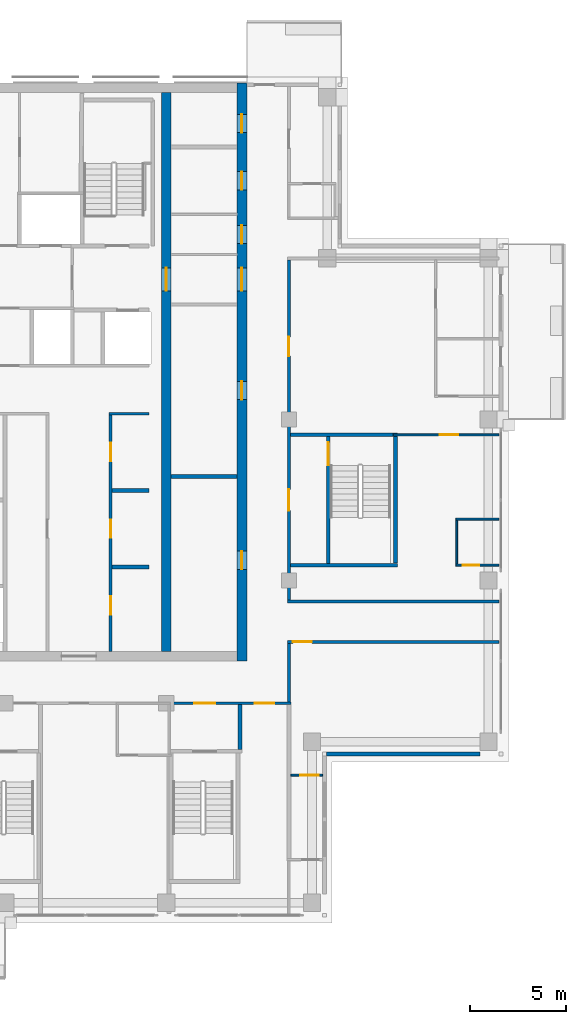
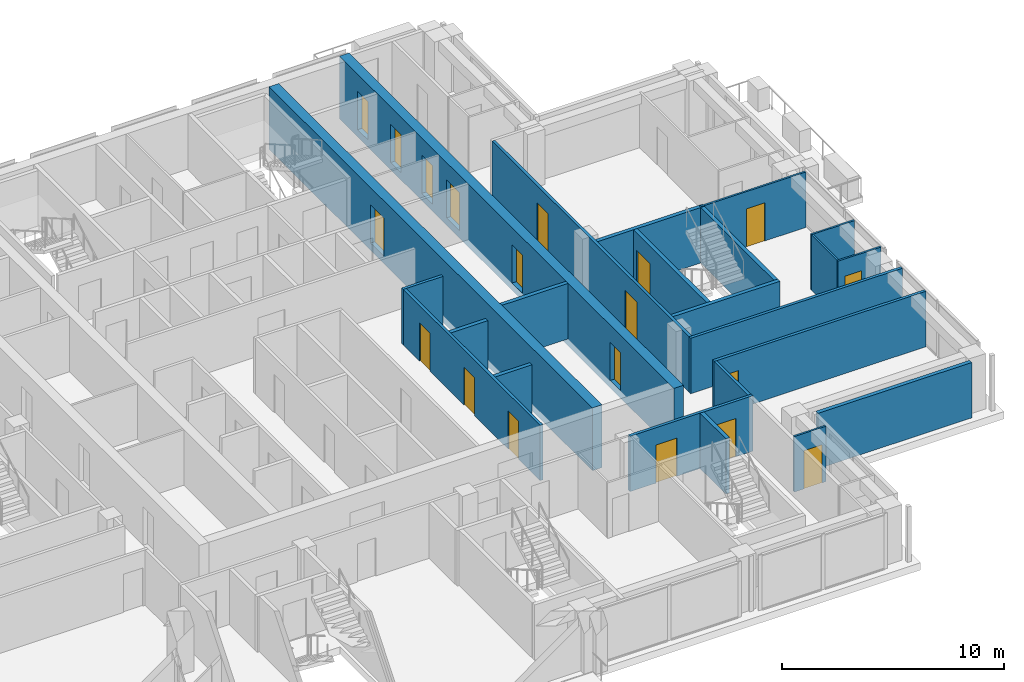
# One storey, part 9 of 15: 23 walls, 19 doors, 19 openings.
"""IFC4 building model written with IfcOpenShell, lengths in metres."""

from ifc_helpers import new_model, si_unit, direction, frame, frame_2d, origin, place, context, subcontext, project, spatial, rectangle, extrude, material, layer, layer_set, type_object, element, fill, save


model = new_model("IFC4")

# Units and contexts
model_context = context("Model", 3, precision=1e-05, world=origin(), true_north=direction((0.0, 1.0)))
body_context = subcontext(model_context, "Body", "Model", "MODEL_VIEW")
ifc_project = project(units=[si_unit("LENGTHUNIT", "METRE"), si_unit("AREAUNIT", "SQUARE_METRE"), si_unit("VOLUMEUNIT", "CUBIC_METRE"), si_unit("PLANEANGLEUNIT", "RADIAN"), si_unit("MASSUNIT", "GRAM", prefix="KILO")], contexts=[model_context])

# Site, building, storey
site_placement = place(None, origin())
site = spatial("IfcSite", under=ifc_project, at=site_placement, CompositionType="ELEMENT")
building_placement = place(site_placement, origin())
building = spatial("IfcBuilding", under=site, at=building_placement, Name="Vermilion Ogive Tower", CompositionType="ELEMENT")
storey_placement = place(building_placement, frame((0.0, 0.0, 237.25)))
storey = spatial("IfcBuildingStorey", under=building, at=storey_placement, Name="L62", CompositionType="ELEMENT", Elevation=237.25)

# Wall, openings, doors
ifc_material_1 = material(Name="Concrete B60", Category="concrete")
ifc_layer_1 = layer(ifc_material_1, 0.5)
ifc_layer_set_1 = layer_set([ifc_layer_1], Name="Core wall 500 B60")
wall_type_1 = type_object("IfcWallType", Name="Core wall 500 B60", PredefinedType="SHEAR", material=ifc_layer_set_1)
wall_1_placement = place(storey_placement, frame((12.35009765625, -8.39990234375, -0.39990234375), z_axis=(0.0, 0.0, 1.0), x_axis=(0.0, 1.0, 0.0)))
wall_1 = element("IfcWall", 1, at=wall_1_placement, inside=storey, type_object=wall_type_1, Name="L62-CORE-E", PredefinedType="SHEAR", context=body_context, shape_type="SweptSolid", body=[
    extrude(rectangle(XDim=30.14990234375, YDim=0.5, at=frame_2d((15.074951171875, 0.0))), origin(), (0.0, 0.0, 1.0), 3.449951171875),
])
opening_1_placement = place(wall_1_placement, frame((4.78759765625, 0.0, 0.39990234375)))
opening_1 = element("IfcOpeningElement", 2, at=opening_1_placement, cuts=wall_1, Name="Opening DAC106", PredefinedType="OPENING", context=body_context, shape_type="SweptSolid", body=[
    extrude(rectangle(XDim=0.949951171875, YDim=2.10009765625, at=frame_2d((0.47509765625, 1.050048828125))), frame((0.0, 0.260009765625, 0.0), z_axis=(0.0, -1.0, 0.0), x_axis=(1.0, 0.0, 0.0)), (0.0, 0.0, 1.0), 0.52001953125),
])
opening_2_placement = place(wall_1_placement, frame((13.6376953125, 0.0, 0.39990234375)))
opening_2 = element("IfcOpeningElement", 3, at=opening_2_placement, cuts=wall_1, Name="Opening DAC107", PredefinedType="OPENING", context=body_context, shape_type="SweptSolid", body=[
    extrude(rectangle(XDim=0.949951171875, YDim=2.10009765625, at=frame_2d((0.47509765625, 1.050048828125))), frame((0.0, 0.260009765625, 0.0), z_axis=(0.0, -1.0, 0.0), x_axis=(1.0, 0.0, 0.0)), (0.0, 0.0, 1.0), 0.52001953125),
])
opening_3_placement = place(wall_1_placement, frame((21.7705078125, 0.0, 0.39990234375)))
opening_3 = element("IfcOpeningElement", 4, at=opening_3_placement, cuts=wall_1, Name="Opening DAC108", PredefinedType="OPENING", context=body_context, shape_type="SweptSolid", body=[
    extrude(rectangle(XDim=0.949951171875, YDim=2.10009765625, at=frame_2d((0.47509765625, 1.050048828125))), frame((0.0, 0.260009765625, 0.0), z_axis=(0.0, -1.0, 0.0), x_axis=(1.0, 0.0, 0.0)), (0.0, 0.0, 1.0), 0.52001953125),
])
opening_4_placement = place(wall_1_placement, frame((24.57568359375, 0.0, 0.39990234375)))
opening_4 = element("IfcOpeningElement", 5, at=opening_4_placement, cuts=wall_1, Name="Opening DAC109", PredefinedType="OPENING", context=body_context, shape_type="SweptSolid", body=[
    extrude(rectangle(XDim=0.949951171875, YDim=2.10009765625, at=frame_2d((0.47509765625, 1.050048828125))), frame((0.0, 0.260009765625, 0.0), z_axis=(0.0, -1.0, 0.0), x_axis=(1.0, 0.0, 0.0)), (0.0, 0.0, 1.0), 0.52001953125),
])
opening_5_placement = place(wall_1_placement, frame((27.555419921875, 0.0, 0.39990234375)))
opening_5 = element("IfcOpeningElement", 6, at=opening_5_placement, cuts=wall_1, Name="Opening DAC110", PredefinedType="OPENING", context=body_context, shape_type="SweptSolid", body=[
    extrude(rectangle(XDim=0.949951171875, YDim=2.10009765625, at=frame_2d((0.47509765625, 1.050048828125))), frame((0.0, 0.260009765625, 0.0), z_axis=(0.0, -1.0, 0.0), x_axis=(1.0, 0.0, 0.0)), (0.0, 0.0, 1.0), 0.52001953125),
])
opening_6_placement = place(wall_1_placement, frame((19.300048828125, 0.0, 0.39990234375)))
opening_6 = element("IfcOpeningElement", 7, at=opening_6_placement, cuts=wall_1, Name="Opening DAL025", PredefinedType="OPENING", context=body_context, shape_type="SweptSolid", body=[
    extrude(rectangle(XDim=1.199951171875, YDim=2.10009765625, at=frame_2d((0.60009765625, 1.050048828125))), frame((0.0, 0.260009765625, 0.0), z_axis=(0.0, -1.0, 0.0), x_axis=(1.0, 0.0, 0.0)), (0.0, 0.0, 1.0), 0.52001953125),
])
ifc_material_2 = material(Name="Timber door leaf", Category="wood")
door_type_1 = type_object("IfcDoorType", Name="Link door 1200 x 2100 FD60S", OperationType="SINGLE_SWING_LEFT", PredefinedType="DOOR", material=ifc_material_2)
door_1_placement = place(opening_6_placement, origin())
door_1 = element("IfcDoor", 8, at=door_1_placement, inside=storey, type_object=door_type_1, Name="L62-CKE-XL", OperationType="SINGLE_SWING_LEFT", OverallHeight=2.10009765625, OverallWidth=1.199951171875, PredefinedType="DOOR", context=body_context, shape_type="SweptSolid", body=[
    extrude(rectangle(XDim=1.199951171875, YDim=2.10009765625, at=frame_2d((0.60009765625, 1.050048828125))), frame((0.0, 0.02490234375, 0.0), z_axis=(0.0, -1.0, 0.0), x_axis=(1.0, 0.0, 0.0)), (0.0, 0.0, 1.0), 0.050048828125),
])
fill(opening_6, door_1)
ifc_material_3 = material(Name="Timber door leaf", Category="wood")
door_type_2 = type_object("IfcDoorType", Name="Service door 950 x 2100 FD60", OperationType="SINGLE_SWING_LEFT", PredefinedType="DOOR", material=ifc_material_3)
door_2_placement = place(opening_1_placement, origin())
door_2 = element("IfcDoor", 9, at=door_2_placement, inside=storey, type_object=door_type_2, Name="L62-CKE-XR0", OperationType="SINGLE_SWING_LEFT", OverallHeight=2.10009765625, OverallWidth=0.949951171875, PredefinedType="DOOR", context=body_context, shape_type="SweptSolid", body=[
    extrude(rectangle(XDim=0.949951171875, YDim=2.10009765625, at=frame_2d((0.47509765625, 1.050048828125))), frame((0.0, 0.02490234375, 0.0), z_axis=(0.0, -1.0, 0.0), x_axis=(1.0, 0.0, 0.0)), (0.0, 0.0, 1.0), 0.050048828125),
])
fill(opening_1, door_2)
door_3_placement = place(opening_2_placement, origin())
door_3 = element("IfcDoor", 10, at=door_3_placement, inside=storey, type_object=door_type_2, Name="L62-CKE-XR1", OperationType="SINGLE_SWING_LEFT", OverallHeight=2.10009765625, OverallWidth=0.949951171875, PredefinedType="DOOR", context=body_context, shape_type="SweptSolid", body=[
    extrude(rectangle(XDim=0.949951171875, YDim=2.10009765625, at=frame_2d((0.47509765625, 1.050048828125))), frame((0.0, 0.02490234375, 0.0), z_axis=(0.0, -1.0, 0.0), x_axis=(1.0, 0.0, 0.0)), (0.0, 0.0, 1.0), 0.050048828125),
])
fill(opening_2, door_3)
door_4_placement = place(opening_3_placement, origin())
door_4 = element("IfcDoor", 11, at=door_4_placement, inside=storey, type_object=door_type_2, Name="L62-CKE-XR2", OperationType="SINGLE_SWING_LEFT", OverallHeight=2.10009765625, OverallWidth=0.949951171875, PredefinedType="DOOR", context=body_context, shape_type="SweptSolid", body=[
    extrude(rectangle(XDim=0.949951171875, YDim=2.10009765625, at=frame_2d((0.47509765625, 1.050048828125))), frame((0.0, 0.02490234375, 0.0), z_axis=(0.0, -1.0, 0.0), x_axis=(1.0, 0.0, 0.0)), (0.0, 0.0, 1.0), 0.050048828125),
])
fill(opening_3, door_4)
door_5_placement = place(opening_4_placement, origin())
door_5 = element("IfcDoor", 12, at=door_5_placement, inside=storey, type_object=door_type_2, Name="L62-CKE-XR3", OperationType="SINGLE_SWING_LEFT", OverallHeight=2.10009765625, OverallWidth=0.949951171875, PredefinedType="DOOR", context=body_context, shape_type="SweptSolid", body=[
    extrude(rectangle(XDim=0.949951171875, YDim=2.10009765625, at=frame_2d((0.47509765625, 1.050048828125))), frame((0.0, 0.02490234375, 0.0), z_axis=(0.0, -1.0, 0.0), x_axis=(1.0, 0.0, 0.0)), (0.0, 0.0, 1.0), 0.050048828125),
])
fill(opening_4, door_5)
door_6_placement = place(opening_5_placement, origin())
door_6 = element("IfcDoor", 13, at=door_6_placement, inside=storey, type_object=door_type_2, Name="L62-CKE-XR4", OperationType="SINGLE_SWING_LEFT", OverallHeight=2.10009765625, OverallWidth=0.949951171875, PredefinedType="DOOR", context=body_context, shape_type="SweptSolid", body=[
    extrude(rectangle(XDim=0.949951171875, YDim=2.10009765625, at=frame_2d((0.47509765625, 1.050048828125))), frame((0.0, 0.02490234375, 0.0), z_axis=(0.0, -1.0, 0.0), x_axis=(1.0, 0.0, 0.0)), (0.0, 0.0, 1.0), 0.050048828125),
])
fill(opening_5, door_6)

# Wall, opening, door
wall_2_placement = place(storey_placement, frame((8.39990234375, -7.89990234375, -0.39990234375), z_axis=(0.0, 0.0, 1.0), x_axis=(0.0, 1.0, 0.0)))
wall_2 = element("IfcWall", 14, at=wall_2_placement, inside=storey, type_object=wall_type_1, Name="L62-CORE-WEB2", PredefinedType="SHEAR", context=body_context, shape_type="SweptSolid", body=[
    extrude(rectangle(XDim=29.14990234375, YDim=0.5, at=frame_2d((14.574951171875, 0.0))), origin(), (0.0, 0.0, 1.0), 3.449951171875),
])
opening_7_placement = place(wall_2_placement, frame((18.800048828125, 0.0, 0.39990234375)))
opening_7 = element("IfcOpeningElement", 15, at=opening_7_placement, cuts=wall_2, Name="Opening DAO020", PredefinedType="OPENING", context=body_context, shape_type="SweptSolid", body=[
    extrude(rectangle(XDim=1.199951171875, YDim=2.10009765625, at=frame_2d((0.60009765625, 1.050048828125))), frame((0.0, 0.260009765625, 0.0), z_axis=(0.0, -1.0, 0.0), x_axis=(1.0, 0.0, 0.0)), (0.0, 0.0, 1.0), 0.52001953125),
])
door_7_placement = place(opening_7_placement, origin())
door_7 = element("IfcDoor", 16, at=door_7_placement, inside=storey, type_object=door_type_1, Name="L62-CKE-XW", OperationType="SINGLE_SWING_LEFT", OverallHeight=2.10009765625, OverallWidth=1.199951171875, PredefinedType="DOOR", context=body_context, shape_type="SweptSolid", body=[
    extrude(rectangle(XDim=1.199951171875, YDim=2.10009765625, at=frame_2d((0.60009765625, 1.050048828125))), frame((0.0, 0.02490234375, 0.0), z_axis=(0.0, -1.0, 0.0), x_axis=(1.0, 0.0, 0.0)), (0.0, 0.0, 1.0), 0.050048828125),
])
fill(opening_7, door_7)

ifc_material_4 = material(Name="Gypsum board partition on steel studs", Category="steel")
ifc_layer_2 = layer(ifc_material_4, 0.10009765625)
ifc_layer_set_2 = layer_set([ifc_layer_2], Name="Partition 100 bath")
wall_type_2 = type_object("IfcWallType", Name="Partition 100 bath", PredefinedType="PARTITIONING", material=ifc_layer_set_2)
wall_3_placement = place(storey_placement, frame((23.501953125, -3.39990234375, 0.0), z_axis=(0.0, 0.0, 1.0), x_axis=(1.0, 0.0, 0.0)))
wall_3 = element("IfcWall", 17, at=wall_3_placement, inside=storey, type_object=wall_type_2, Name="L62-W-W022", PredefinedType="PARTITIONING", context=body_context, shape_type="SweptSolid", body=[
    extrude(rectangle(XDim=2.248046875, YDim=0.10009765625, at=frame_2d((1.1240234375, 0.0))), origin(), (0.0, 0.0, 1.0), 3.050048828125),
])
opening_8_placement = place(wall_3_placement, frame((0.373046875, 0.0, 0.0)))
opening_8 = element("IfcOpeningElement", 18, at=opening_8_placement, cuts=wall_3, Name="Opening D5G2020", PredefinedType="OPENING", context=body_context, shape_type="SweptSolid", body=[
    extrude(rectangle(XDim=0.85009765625, YDim=2.10009765625, at=frame_2d((0.425048828125, 1.050048828125))), frame((0.0, 0.06005859375, 0.0), z_axis=(0.0, -1.0, 0.0), x_axis=(1.0, 0.0, 0.0)), (0.0, 0.0, 1.0), 0.1201171875),
])
ifc_material_5 = material(Name="Timber door leaf", Category="wood")
door_type_3 = type_object("IfcDoorType", Name="Bath door 850 x 2100 FD30", OperationType="SINGLE_SWING_LEFT", PredefinedType="DOOR", material=ifc_material_5)
door_8_placement = place(opening_8_placement, origin())
door_8 = element("IfcDoor", 19, at=door_8_placement, inside=storey, type_object=door_type_3, Name="L62-D-D020", OperationType="SINGLE_SWING_LEFT", OverallHeight=2.10009765625, OverallWidth=0.85009765625, PredefinedType="DOOR", context=body_context, shape_type="SweptSolid", body=[
    extrude(rectangle(XDim=0.85009765625, YDim=2.10009765625, at=frame_2d((0.425048828125, 1.050048828125))), frame((0.0, 0.02490234375, 0.0), z_axis=(0.0, -1.0, 0.0), x_axis=(1.0, 0.0, 0.0)), (0.0, 0.0, 1.0), 0.050048828125),
])
fill(opening_8, door_8)

# Walls
wall_4_placement = place(storey_placement, frame((23.501953125, -1.0, 0.0), z_axis=(0.0, 0.0, 1.0), x_axis=(1.0, 0.0, 0.0)))
element("IfcWall", 20, at=wall_4_placement, inside=storey, type_object=wall_type_2, Name="L62-W-W023", PredefinedType="PARTITIONING", context=body_context, shape_type="SweptSolid", body=[
    extrude(rectangle(XDim=2.248046875, YDim=0.10009765625, at=frame_2d((1.1240234375, 0.0))), origin(), (0.0, 0.0, 1.0), 3.050048828125),
])
wall_5_placement = place(storey_placement, frame((23.550048828125, -3.347900390625, 0.0), z_axis=(0.0, 0.0, 1.0), x_axis=(0.0, 1.0, 0.0)))
element("IfcWall", 21, at=wall_5_placement, inside=storey, type_object=wall_type_2, Name="L62-W-W076", PredefinedType="PARTITIONING", context=body_context, shape_type="SweptSolid", body=[
    extrude(rectangle(XDim=2.2958984375, YDim=0.10009765625, at=frame_2d((1.14794921875, 0.0))), origin(), (0.0, 0.0, 1.0), 3.050048828125),
])

# Wall, opening, door
ifc_material_6 = material(Name="Gypsum board partition on steel studs", Category="steel")
ifc_layer_3 = layer(ifc_material_6, 0.10009765625)
ifc_layer_set_3 = layer_set([ifc_layer_3], Name="Partition 100 inner")
wall_type_3 = type_object("IfcWallType", Name="Partition 100 inner", PredefinedType="PARTITIONING", material=ifc_layer_set_3)
wall_6_placement = place(storey_placement, frame((14.89990234375, -14.349853515625, 0.0), z_axis=(0.0, 0.0, 1.0), x_axis=(1.0, 0.0, 0.0)))
wall_6 = element("IfcWall", 22, at=wall_6_placement, inside=storey, type_object=wall_type_3, Name="L62-W-W007", PredefinedType="PARTITIONING", context=body_context, shape_type="SweptSolid", body=[
    extrude(rectangle(XDim=1.650146484375, YDim=0.10009765625, at=frame_2d((0.8251953125, 0.0))), origin(), (0.0, 0.0, 1.0), 3.050048828125),
])
opening_9_placement = place(wall_6_placement, frame((0.500244140625, 0.0, 0.0)))
opening_9 = element("IfcOpeningElement", 23, at=opening_9_placement, cuts=wall_6, Name="Opening D5G2014", PredefinedType="OPENING", context=body_context, shape_type="SweptSolid", body=[
    extrude(rectangle(XDim=0.949951171875, YDim=2.10009765625, at=frame_2d((0.47509765625, 1.050048828125))), frame((0.0, 0.06005859375, 0.0), z_axis=(0.0, -1.0, 0.0), x_axis=(1.0, 0.0, 0.0)), (0.0, 0.0, 1.0), 0.1201171875),
])
ifc_material_7 = material(Name="Timber door leaf", Category="wood")
door_type_4 = type_object("IfcDoorType", Name="Inner door 950 x 2100 FD30", OperationType="SINGLE_SWING_LEFT", PredefinedType="DOOR", material=ifc_material_7)
door_9_placement = place(opening_9_placement, origin())
door_9 = element("IfcDoor", 24, at=door_9_placement, inside=storey, type_object=door_type_4, Name="L62-D-D014", OperationType="SINGLE_SWING_RIGHT", OverallHeight=2.10009765625, OverallWidth=0.949951171875, PredefinedType="DOOR", context=body_context, shape_type="SweptSolid", body=[
    extrude(rectangle(XDim=0.949951171875, YDim=2.10009765625, at=frame_2d((0.47509765625, 1.050048828125))), frame((0.0, 0.02490234375, 0.0), z_axis=(0.0, -1.0, 0.0), x_axis=(1.0, 0.0, 0.0)), (0.0, 0.0, 1.0), 0.050048828125),
])
fill(opening_9, door_9)

wall_7_placement = place(storey_placement, frame((20.25, 3.39990234375, 0.0), z_axis=(0.0, 0.0, 1.0), x_axis=(1.0, 0.0, 0.0)))
wall_7 = element("IfcWall", 25, at=wall_7_placement, inside=storey, type_object=wall_type_3, Name="L62-W-W028", PredefinedType="PARTITIONING", context=body_context, shape_type="SweptSolid", body=[
    extrude(rectangle(XDim=5.5, YDim=0.10009765625, at=frame_2d((2.75, 0.0))), origin(), (0.0, 0.0, 1.0), 3.050048828125),
])
opening_10_placement = place(wall_7_placement, frame((2.425048828125, 0.0, 0.0)))
opening_10 = element("IfcOpeningElement", 26, at=opening_10_placement, cuts=wall_7, Name="Opening D5G2019", PredefinedType="OPENING", context=body_context, shape_type="SweptSolid", body=[
    extrude(rectangle(XDim=0.949951171875, YDim=2.10009765625, at=frame_2d((0.47509765625, 1.050048828125))), frame((0.0, 0.06005859375, 0.0), z_axis=(0.0, -1.0, 0.0), x_axis=(1.0, 0.0, 0.0)), (0.0, 0.0, 1.0), 0.1201171875),
])
door_10_placement = place(opening_10_placement, origin())
door_10 = element("IfcDoor", 27, at=door_10_placement, inside=storey, type_object=door_type_4, Name="L62-D-D019", OperationType="SINGLE_SWING_LEFT", OverallHeight=2.10009765625, OverallWidth=0.949951171875, PredefinedType="DOOR", context=body_context, shape_type="SweptSolid", body=[
    extrude(rectangle(XDim=0.949951171875, YDim=2.10009765625, at=frame_2d((0.47509765625, 1.050048828125))), frame((0.0, 0.02490234375, 0.0), z_axis=(0.0, -1.0, 0.0), x_axis=(1.0, 0.0, 0.0)), (0.0, 0.0, 1.0), 0.050048828125),
])
fill(opening_10, door_10)

# Wall, openings, doors
ifc_material_8 = material(Name="Gypsum board partition on steel studs", Category="steel")
ifc_layer_4 = layer(ifc_material_8, 0.14990234375)
ifc_layer_set_4 = layer_set([ifc_layer_4], Name="Partition 150 corridor")
wall_type_4 = type_object("IfcWallType", Name="Partition 150 corridor", PredefinedType="PARTITIONING", material=ifc_layer_set_4)
wall_8_placement = place(storey_placement, frame((8.5, -10.60009765625, 0.0), z_axis=(0.0, 0.0, 1.0), x_axis=(1.0, 0.0, 0.0)))
wall_8 = element("IfcWall", 28, at=wall_8_placement, inside=storey, type_object=wall_type_4, Name="L62-W-W014", PredefinedType="PARTITIONING", context=body_context, shape_type="SweptSolid", body=[
    extrude(rectangle(XDim=6.39990234375, YDim=0.14990234375, at=frame_2d((3.199951171875, 0.0))), origin(), (0.0, 0.0, 1.0), 3.050048828125),
])
opening_11_placement = place(wall_8_placement, frame((1.35009765625, 0.0, 0.0)))
opening_11 = element("IfcOpeningElement", 29, at=opening_11_placement, cuts=wall_8, Name="Opening D5G2027", PredefinedType="OPENING", context=body_context, shape_type="SweptSolid", body=[
    extrude(rectangle(XDim=1.10009765625, YDim=2.10009765625, at=frame_2d((0.550048828125, 1.050048828125))), frame((0.0, 0.0849609375, 0.0), z_axis=(0.0, -1.0, 0.0), x_axis=(1.0, 0.0, 0.0)), (0.0, 0.0, 1.0), 0.169921875),
])
opening_12_placement = place(wall_8_placement, frame((4.52490234375, 0.0, 0.0)))
opening_12 = element("IfcOpeningElement", 30, at=opening_12_placement, cuts=wall_8, Name="Opening D5G2034", PredefinedType="OPENING", context=body_context, shape_type="SweptSolid", body=[
    extrude(rectangle(XDim=1.0, YDim=2.10009765625, at=frame_2d((0.5, 1.050048828125))), frame((0.0, 0.0849609375, 0.0), z_axis=(0.0, -1.0, 0.0), x_axis=(1.0, 0.0, 0.0)), (0.0, 0.0, 1.0), 0.169921875),
])
ifc_material_9 = material(Name="Timber door leaf", Category="wood")
door_type_5 = type_object("IfcDoorType", Name="Stair door 1100 x 2100 FD60S", OperationType="SINGLE_SWING_LEFT", PredefinedType="DOOR", material=ifc_material_9)
door_11_placement = place(opening_11_placement, origin())
door_11 = element("IfcDoor", 31, at=door_11_placement, inside=storey, type_object=door_type_5, Name="L62-D-D027", OperationType="SINGLE_SWING_RIGHT", OverallHeight=2.10009765625, OverallWidth=1.10009765625, PredefinedType="DOOR", context=body_context, shape_type="SweptSolid", body=[
    extrude(rectangle(XDim=1.10009765625, YDim=2.10009765625, at=frame_2d((0.550048828125, 1.050048828125))), frame((0.0, 0.02490234375, 0.0), z_axis=(0.0, -1.0, 0.0), x_axis=(1.0, 0.0, 0.0)), (0.0, 0.0, 1.0), 0.050048828125),
])
fill(opening_11, door_11)
ifc_material_10 = material(Name="Timber door leaf", Category="wood")
door_type_6 = type_object("IfcDoorType", Name="Unit door 1000 x 2100 FD30S", OperationType="SINGLE_SWING_LEFT", PredefinedType="DOOR", material=ifc_material_10)
door_12_placement = place(opening_12_placement, origin())
door_12 = element("IfcDoor", 32, at=door_12_placement, inside=storey, type_object=door_type_6, Name="L62-D-D034", OperationType="SINGLE_SWING_RIGHT", OverallHeight=2.10009765625, OverallWidth=1.0, PredefinedType="DOOR", context=body_context, shape_type="SweptSolid", body=[
    extrude(rectangle(XDim=1.0, YDim=2.10009765625, at=frame_2d((0.5, 1.050048828125))), frame((0.0, 0.02490234375, 0.0), z_axis=(0.0, -1.0, 0.0), x_axis=(1.0, 0.0, 0.0)), (0.0, 0.0, 1.0), 0.050048828125),
])
fill(opening_12, door_12)

# Wall, opening, door
wall_9_placement = place(storey_placement, frame((14.72509765625, -7.39990234375, 0.0), z_axis=(0.0, 0.0, 1.0), x_axis=(1.0, 0.0, 0.0)))
wall_9 = element("IfcWall", 33, at=wall_9_placement, inside=storey, type_object=wall_type_4, Name="L62-W-W016", PredefinedType="PARTITIONING", context=body_context, shape_type="SweptSolid", body=[
    extrude(rectangle(XDim=11.02490234375, YDim=0.14990234375, at=frame_2d((5.512451171875, 0.0))), origin(), (0.0, 0.0, 1.0), 3.050048828125),
])
opening_13_placement = place(wall_9_placement, frame((0.27490234375, 0.0, 0.0)))
opening_13 = element("IfcOpeningElement", 34, at=opening_13_placement, cuts=wall_9, Name="Opening D5G2013", PredefinedType="OPENING", context=body_context, shape_type="SweptSolid", body=[
    extrude(rectangle(XDim=1.0, YDim=2.10009765625, at=frame_2d((0.5, 1.050048828125))), frame((0.0, 0.0849609375, 0.0), z_axis=(0.0, -1.0, 0.0), x_axis=(1.0, 0.0, 0.0)), (0.0, 0.0, 1.0), 0.169921875),
])
door_13_placement = place(opening_13_placement, origin())
door_13 = element("IfcDoor", 35, at=door_13_placement, inside=storey, type_object=door_type_6, Name="L62-D-D013", OperationType="SINGLE_SWING_RIGHT", OverallHeight=2.10009765625, OverallWidth=1.0, PredefinedType="DOOR", context=body_context, shape_type="SweptSolid", body=[
    extrude(rectangle(XDim=1.0, YDim=2.10009765625, at=frame_2d((0.5, 1.050048828125))), frame((0.0, 0.02490234375, 0.0), z_axis=(0.0, -1.0, 0.0), x_axis=(1.0, 0.0, 0.0)), (0.0, 0.0, 1.0), 0.050048828125),
])
fill(opening_13, door_13)

# Walls
wall_10_placement = place(storey_placement, frame((14.72705078125, -5.300048828125, 0.0), z_axis=(0.0, 0.0, 1.0), x_axis=(1.0, 0.0, 0.0)))
element("IfcWall", 36, at=wall_10_placement, inside=storey, type_object=wall_type_4, Name="L62-W-W018", PredefinedType="PARTITIONING", context=body_context, shape_type="SweptSolid", body=[
    extrude(rectangle(XDim=11.02294921875, YDim=0.14990234375, at=frame_2d((5.511474609375, 0.0))), origin(), (0.0, 0.0, 1.0), 3.050048828125),
])
wall_11_placement = place(storey_placement, frame((14.800048828125, -10.52490234375, 0.0), z_axis=(0.0, 0.0, 1.0), x_axis=(0.0, 1.0, 0.0)))
element("IfcWall", 37, at=wall_11_placement, inside=storey, type_object=wall_type_4, Name="L62-W-W068", PredefinedType="PARTITIONING", context=body_context, shape_type="SweptSolid", body=[
    extrude(rectangle(XDim=3.0498046875, YDim=0.14990234375, at=frame_2d((1.52490234375, 0.0))), origin(), (0.0, 0.0, 1.0), 3.050048828125),
])

# Wall, openings, doors
wall_12_placement = place(storey_placement, frame((14.800048828125, -5.222900390625, 0.0), z_axis=(0.0, 0.0, 1.0), x_axis=(0.0, 1.0, 0.0)))
wall_12 = element("IfcWall", 38, at=wall_12_placement, inside=storey, type_object=wall_type_4, Name="L62-W-W069", PredefinedType="PARTITIONING", context=body_context, shape_type="SweptSolid", body=[
    extrude(rectangle(XDim=17.747802734375, YDim=0.14990234375, at=frame_2d((8.8740234375, 0.0))), origin(), (0.0, 0.0, 1.0), 3.050048828125),
])
opening_14_placement = place(wall_12_placement, frame((12.722900390625, 0.0, 0.0)))
opening_14 = element("IfcOpeningElement", 39, at=opening_14_placement, cuts=wall_12, Name="Opening D5G2018", PredefinedType="OPENING", context=body_context, shape_type="SweptSolid", body=[
    extrude(rectangle(XDim=1.0, YDim=2.10009765625, at=frame_2d((0.5, 1.050048828125))), frame((0.0, 0.0849609375, 0.0), z_axis=(0.0, -1.0, 0.0), x_axis=(1.0, 0.0, 0.0)), (0.0, 0.0, 1.0), 0.169921875),
])
opening_15_placement = place(wall_12_placement, frame((4.6728515625, 0.0, 0.0)))
opening_15 = element("IfcOpeningElement", 40, at=opening_15_placement, cuts=wall_12, Name="Opening D5G2029", PredefinedType="OPENING", context=body_context, shape_type="SweptSolid", body=[
    extrude(rectangle(XDim=1.10009765625, YDim=2.10009765625, at=frame_2d((0.550048828125, 1.050048828125))), frame((0.0, 0.0849609375, 0.0), z_axis=(0.0, -1.0, 0.0), x_axis=(1.0, 0.0, 0.0)), (0.0, 0.0, 1.0), 0.169921875),
])
door_14_placement = place(opening_15_placement, origin())
door_14 = element("IfcDoor", 41, at=door_14_placement, inside=storey, type_object=door_type_5, Name="L62-D-D029", OperationType="SINGLE_SWING_RIGHT", OverallHeight=2.10009765625, OverallWidth=1.10009765625, PredefinedType="DOOR", context=body_context, shape_type="SweptSolid", body=[
    extrude(rectangle(XDim=1.10009765625, YDim=2.10009765625, at=frame_2d((0.550048828125, 1.050048828125))), frame((0.0, 0.02490234375, 0.0), z_axis=(0.0, -1.0, 0.0), x_axis=(1.0, 0.0, 0.0)), (0.0, 0.0, 1.0), 0.050048828125),
])
fill(opening_15, door_14)
door_15_placement = place(opening_14_placement, origin())
door_15 = element("IfcDoor", 42, at=door_15_placement, inside=storey, type_object=door_type_6, Name="L62-D-D018", OperationType="SINGLE_SWING_LEFT", OverallHeight=2.10009765625, OverallWidth=1.0, PredefinedType="DOOR", context=body_context, shape_type="SweptSolid", body=[
    extrude(rectangle(XDim=1.0, YDim=2.10009765625, at=frame_2d((0.5, 1.050048828125))), frame((0.0, 0.02490234375, 0.0), z_axis=(0.0, -1.0, 0.0), x_axis=(1.0, 0.0, 0.0)), (0.0, 0.0, 1.0), 0.050048828125),
])
fill(opening_14, door_15)

# Wall
wall_13_placement = place(storey_placement, frame((5.425048828125, 4.5, 0.0), z_axis=(0.0, 0.0, 1.0), x_axis=(1.0, 0.0, 0.0)))
element("IfcWall", 43, at=wall_13_placement, inside=storey, type_object=wall_type_4, Name="L62-CK-W-W010", PredefinedType="PARTITIONING", context=body_context, shape_type="SweptSolid", body=[
    extrude(rectangle(XDim=2.074951171875, YDim=0.14990234375, at=frame_2d((1.03759765625, 0.0))), origin(), (0.0, 0.0, 1.0), 3.050048828125),
])

# Wall, openings, doors
wall_14_placement = place(storey_placement, frame((5.5, -7.89892578125, 0.0), z_axis=(0.0, 0.0, 1.0), x_axis=(0.0, 1.0, 0.0)))
wall_14 = element("IfcWall", 44, at=wall_14_placement, inside=storey, type_object=wall_type_4, Name="L62-CK-W-W038", PredefinedType="PARTITIONING", context=body_context, shape_type="SweptSolid", body=[
    extrude(rectangle(XDim=12.323974609375, YDim=0.14990234375, at=frame_2d((6.162109375, 0.0))), origin(), (0.0, 0.0, 1.0), 3.050048828125),
])
opening_16_placement = place(wall_14_placement, frame((1.923828125, 0.0, 0.0)))
opening_16 = element("IfcOpeningElement", 45, at=opening_16_placement, cuts=wall_14, Name="Opening DAA569", PredefinedType="OPENING", context=body_context, shape_type="SweptSolid", body=[
    extrude(rectangle(XDim=0.949951171875, YDim=2.10009765625, at=frame_2d((0.47509765625, 1.050048828125))), frame((0.0, 0.0849609375, 0.0), z_axis=(0.0, -1.0, 0.0), x_axis=(1.0, 0.0, 0.0)), (0.0, 0.0, 1.0), 0.169921875),
])
opening_17_placement = place(wall_14_placement, frame((5.923828125, 0.0, 0.0)))
opening_17 = element("IfcOpeningElement", 46, at=opening_17_placement, cuts=wall_14, Name="Opening DAA570", PredefinedType="OPENING", context=body_context, shape_type="SweptSolid", body=[
    extrude(rectangle(XDim=0.949951171875, YDim=2.10009765625, at=frame_2d((0.47509765625, 1.050048828125))), frame((0.0, 0.0849609375, 0.0), z_axis=(0.0, -1.0, 0.0), x_axis=(1.0, 0.0, 0.0)), (0.0, 0.0, 1.0), 0.169921875),
])
opening_18_placement = place(wall_14_placement, frame((9.923828125, 0.0, 0.0)))
opening_18 = element("IfcOpeningElement", 47, at=opening_18_placement, cuts=wall_14, Name="Opening DAA571", PredefinedType="OPENING", context=body_context, shape_type="SweptSolid", body=[
    extrude(rectangle(XDim=0.949951171875, YDim=2.10009765625, at=frame_2d((0.47509765625, 1.050048828125))), frame((0.0, 0.0849609375, 0.0), z_axis=(0.0, -1.0, 0.0), x_axis=(1.0, 0.0, 0.0)), (0.0, 0.0, 1.0), 0.169921875),
])
door_16_placement = place(opening_16_placement, origin())
door_16 = element("IfcDoor", 48, at=door_16_placement, inside=storey, type_object=door_type_2, Name="L62-CK-D-D009", OperationType="SINGLE_SWING_LEFT", OverallHeight=2.10009765625, OverallWidth=0.949951171875, PredefinedType="DOOR", context=body_context, shape_type="SweptSolid", body=[
    extrude(rectangle(XDim=0.949951171875, YDim=2.10009765625, at=frame_2d((0.47509765625, 1.050048828125))), frame((0.0, 0.02490234375, 0.0), z_axis=(0.0, -1.0, 0.0), x_axis=(1.0, 0.0, 0.0)), (0.0, 0.0, 1.0), 0.050048828125),
])
fill(opening_16, door_16)
door_17_placement = place(opening_17_placement, origin())
door_17 = element("IfcDoor", 49, at=door_17_placement, inside=storey, type_object=door_type_2, Name="L62-CK-D-D010", OperationType="SINGLE_SWING_LEFT", OverallHeight=2.10009765625, OverallWidth=0.949951171875, PredefinedType="DOOR", context=body_context, shape_type="SweptSolid", body=[
    extrude(rectangle(XDim=0.949951171875, YDim=2.10009765625, at=frame_2d((0.47509765625, 1.050048828125))), frame((0.0, 0.02490234375, 0.0), z_axis=(0.0, -1.0, 0.0), x_axis=(1.0, 0.0, 0.0)), (0.0, 0.0, 1.0), 0.050048828125),
])
fill(opening_17, door_17)
door_18_placement = place(opening_18_placement, origin())
door_18 = element("IfcDoor", 50, at=door_18_placement, inside=storey, type_object=door_type_2, Name="L62-CK-D-D011", OperationType="SINGLE_SWING_RIGHT", OverallHeight=2.10009765625, OverallWidth=0.949951171875, PredefinedType="DOOR", context=body_context, shape_type="SweptSolid", body=[
    extrude(rectangle(XDim=0.949951171875, YDim=2.10009765625, at=frame_2d((0.47509765625, 1.050048828125))), frame((0.0, 0.02490234375, 0.0), z_axis=(0.0, -1.0, 0.0), x_axis=(1.0, 0.0, 0.0)), (0.0, 0.0, 1.0), 0.050048828125),
])
fill(opening_18, door_18)

# Walls
ifc_material_11 = material(Name="Gypsum board partition on steel studs", Category="steel")
ifc_layer_5 = layer(ifc_material_11, 0.199951171875)
ifc_layer_set_5 = layer_set([ifc_layer_5], Name="Partition 200 party")
wall_type_5 = type_object("IfcWallType", Name="Partition 200 party", PredefinedType="PARTITIONING", material=ifc_layer_set_5)
wall_15_placement = place(storey_placement, frame((12.25, -12.998046875, 0.0), z_axis=(0.0, 0.0, 1.0), x_axis=(0.0, 1.0, 0.0)))
element("IfcWall", 51, at=wall_15_placement, inside=storey, type_object=wall_type_5, Name="L62-W-W065", PredefinedType="PARTITIONING", context=body_context, shape_type="SweptSolid", body=[
    extrude(rectangle(XDim=2.322998046875, YDim=0.199951171875, at=frame_2d((1.16162109375, 0.0))), origin(), (0.0, 0.0, 1.0), 3.050048828125),
])
for number, where, z_axis, x_axis, name in (
    (52, (5.574951171875, -3.5, 0.0), (0.0, 0.0, 1.0), (1.0, 0.0, 0.0), "L62-CK-W-W003"),
    (53, (5.574951171875, 0.5, 0.0), (0.0, 0.0, 1.0), (1.0, 0.0, 0.0), "L62-CK-W-W006"),
):
    element("IfcWall", number, at=place(storey_placement, frame(where, z_axis=z_axis, x_axis=x_axis)), inside=storey, type_object=wall_type_5, Name=name, PredefinedType="PARTITIONING", context=body_context, shape_type="SweptSolid", body=[
        extrude(rectangle(XDim=1.925048828125, YDim=0.199951171875, at=frame_2d((0.96240234375, 0.0))), origin(), (0.0, 0.0, 1.0), 3.050048828125),
    ])
wall_16_placement = place(storey_placement, frame((8.65087890625, 1.22509765625, 0.0), z_axis=(0.0, 0.0, 1.0), x_axis=(1.0, 0.0, 0.0)))
element("IfcWall", 54, at=wall_16_placement, inside=storey, type_object=wall_type_5, Name="L62-CKE-W-W001", PredefinedType="PARTITIONING", context=body_context, shape_type="SweptSolid", body=[
    extrude(rectangle(XDim=3.4482421875, YDim=0.199951171875, at=frame_2d((1.72412109375, 0.0))), origin(), (0.0, 0.0, 1.0), 3.050048828125),
])
ifc_material_12 = material(Name="Concrete B60", Category="concrete")
ifc_layer_6 = layer(ifc_material_12, 0.199951171875)
ifc_layer_set_6 = layer_set([ifc_layer_6], Name="Stair shaft wall 200 Concrete B60")
wall_type_6 = type_object("IfcWallType", Name="Stair shaft wall 200 Concrete B60", PredefinedType="SOLIDWALL", material=ifc_layer_set_6)
wall_17_placement = place(storey_placement, frame((14.876953125, -3.39990234375, 0.0), z_axis=(0.0, 0.0, 1.0), x_axis=(1.0, 0.0, 0.0)))
element("IfcWall", 55, at=wall_17_placement, inside=storey, type_object=wall_type_6, Name="L62-W-W021", PredefinedType="SOLIDWALL", context=body_context, shape_type="SweptSolid", body=[
    extrude(rectangle(XDim=5.571044921875, YDim=0.199951171875, at=frame_2d((2.78564453125, 0.0))), origin(), (0.0, 0.0, 1.0), 3.050048828125),
])
wall_18_placement = place(storey_placement, frame((14.875, 3.39990234375, 0.0), z_axis=(0.0, 0.0, 1.0), x_axis=(1.0, 0.0, 0.0)))
element("IfcWall", 56, at=wall_18_placement, inside=storey, type_object=wall_type_6, Name="L62-W-W027", PredefinedType="SOLIDWALL", context=body_context, shape_type="SweptSolid", body=[
    extrude(rectangle(XDim=5.574951171875, YDim=0.199951171875, at=frame_2d((2.78759765625, 0.0))), origin(), (0.0, 0.0, 1.0), 3.050048828125),
])

# Wall, opening, door
wall_19_placement = place(storey_placement, frame((16.85009765625, -3.300048828125, 0.0), z_axis=(0.0, 0.0, 1.0), x_axis=(0.0, 1.0, 0.0)))
wall_19 = element("IfcWall", 57, at=wall_19_placement, inside=storey, type_object=wall_type_6, Name="L62-W-W072", PredefinedType="SOLIDWALL", context=body_context, shape_type="SweptSolid", body=[
    extrude(rectangle(XDim=6.60009765625, YDim=0.199951171875, at=frame_2d((3.300048828125, 0.0))), origin(), (0.0, 0.0, 1.0), 3.050048828125),
])
opening_19_placement = place(wall_19_placement, frame((5.10009765625, 0.0, 0.0)))
opening_19 = element("IfcOpeningElement", 58, at=opening_19_placement, cuts=wall_19, Name="Opening D5G2030", PredefinedType="OPENING", context=body_context, shape_type="SweptSolid", body=[
    extrude(rectangle(XDim=1.199951171875, YDim=2.10009765625, at=frame_2d((0.60009765625, 1.050048828125))), frame((0.0, 0.10986328125, 0.0), z_axis=(0.0, -1.0, 0.0), x_axis=(1.0, 0.0, 0.0)), (0.0, 0.0, 1.0), 0.219970703125),
])
ifc_material_13 = material(Name="Timber door leaf", Category="wood")
door_type_7 = type_object("IfcDoorType", Name="Stair door 1200 x 2100 FD60S", OperationType="SINGLE_SWING_LEFT", PredefinedType="DOOR", material=ifc_material_13)
door_19_placement = place(opening_19_placement, origin())
door_19 = element("IfcDoor", 59, at=door_19_placement, inside=storey, type_object=door_type_7, Name="L62-D-D030", OperationType="SINGLE_SWING_LEFT", OverallHeight=2.10009765625, OverallWidth=1.199951171875, PredefinedType="DOOR", context=body_context, shape_type="SweptSolid", body=[
    extrude(rectangle(XDim=1.199951171875, YDim=2.10009765625, at=frame_2d((0.60009765625, 1.050048828125))), frame((0.0, 0.02490234375, 0.0), z_axis=(0.0, -1.0, 0.0), x_axis=(1.0, 0.0, 0.0)), (0.0, 0.0, 1.0), 0.050048828125),
])
fill(opening_19, door_19)

# Walls
wall_20_placement = place(storey_placement, frame((20.35009765625, -3.298095703125, 0.0), z_axis=(0.0, 0.0, 1.0), x_axis=(0.0, 1.0, 0.0)))
element("IfcWall", 60, at=wall_20_placement, inside=storey, type_object=wall_type_6, Name="L62-W-W074-A", PredefinedType="SOLIDWALL", context=body_context, shape_type="SweptSolid", body=[
    extrude(rectangle(XDim=6.59814453125, YDim=0.199951171875, at=frame_2d((3.299072265625, 0.0))), origin(), (0.0, 0.0, 1.0), 3.050048828125),
])
ifc_material_14 = material(Name="Aluminium window wall framing", Category="aluminium")
ifc_layer_7 = layer(ifc_material_14, 0.199951171875)
ifc_layer_set_7 = layer_set([ifc_layer_7], Name="Window wall")
wall_type_7 = type_object("IfcWallType", Name="Window wall", PredefinedType="STANDARD", material=ifc_layer_set_7)
wall_21_placement = place(storey_placement, frame((16.75, -13.25, 0.0), z_axis=(0.0, 0.0, 1.0), x_axis=(1.0, 0.0, 0.0)))
element("IfcWall", 61, at=wall_21_placement, inside=storey, type_object=wall_type_7, Name="Window wall X21", PredefinedType="STANDARD", context=body_context, shape_type="SweptSolid", body=[
    extrude(rectangle(XDim=8.0, YDim=0.199951171875, at=frame_2d((4.0, 0.0))), origin(), (0.0, 0.0, 1.0), 3.050048828125),
])

save(model, "model.ifc")
